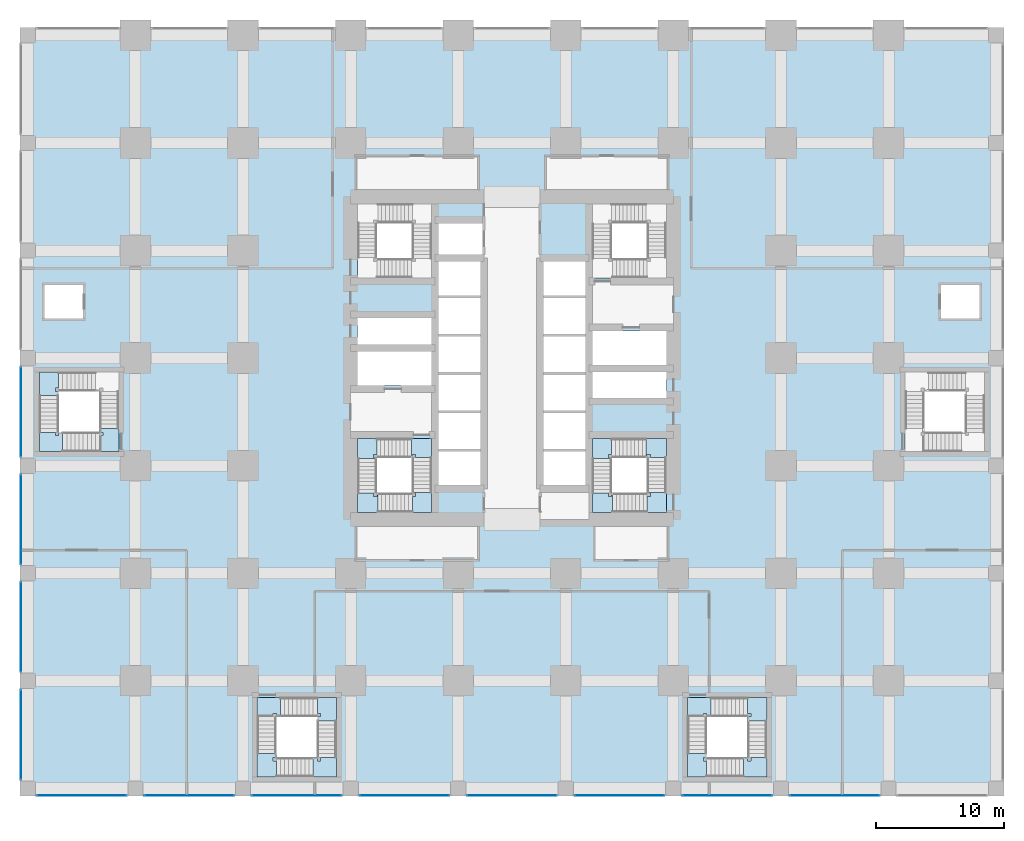
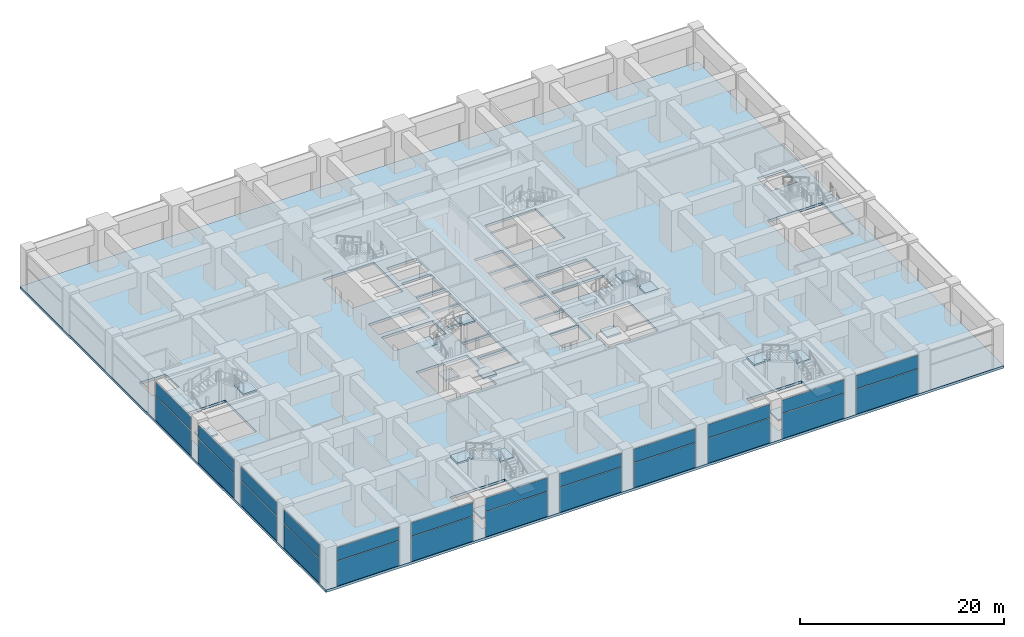
# One storey, part 34 of 48: 24 plates, 20 slabs, 17 elements without a shape of their own.
"""IFC4 building model written with IfcOpenShell, lengths in metres."""

from ifc_helpers import new_model, si_unit, direction, frame, origin, origin_2d, place, context, subcontext, project, spatial, polyline, rectangle, outline, extrude, material, layer, layer_set, type_object, element, aggregate, save


model = new_model("IFC4")

# Units and contexts
model_context = context("Model", 3, precision=1e-05, world=origin(), true_north=direction((0.0, 1.0)))
body_context = subcontext(model_context, "Body", "Model", "MODEL_VIEW")
ifc_project = project(units=[si_unit("LENGTHUNIT", "METRE"), si_unit("AREAUNIT", "SQUARE_METRE"), si_unit("VOLUMEUNIT", "CUBIC_METRE"), si_unit("PLANEANGLEUNIT", "RADIAN"), si_unit("MASSUNIT", "GRAM", prefix="KILO")], contexts=[model_context])

# Site, building, storey
site_placement = place(None, origin())
site = spatial("IfcSite", under=ifc_project, at=site_placement, CompositionType="ELEMENT")
building_placement = place(site_placement, origin())
building = spatial("IfcBuilding", under=site, at=building_placement, Name="Rekha Terrace Tower", CompositionType="ELEMENT")
storey_placement = place(building_placement, frame((0.0, 0.0, 15.39990234375)))
storey = spatial("IfcBuildingStorey", under=building, at=storey_placement, Name="L03", CompositionType="ELEMENT", Elevation=15.39990234375)

# Curtain wall, plates
ifc_material_1 = material(Name="Aluminium framing", Category="aluminium")
curtain_wall_type = type_object("IfcCurtainWallType", Name="CW4 podium shopfront glazing", PredefinedType="USERDEFINED", material=ifc_material_1)
curtain_wall_1_placement = place(storey_placement, origin())
curtain_wall_1 = element("IfcCurtainWall", 1, at=curtain_wall_1_placement, inside=storey, type_object=curtain_wall_type, Name="CW4 shopfront curtain wall", ObjectType="SHOPFRONT CURTAIN WALL", PredefinedType="USERDEFINED")
ifc_material_2 = material(Name="Laminated double-glazed unit 30", Category="glass")
ifc_layer_1 = layer(ifc_material_2, 0.030029296875)
ifc_layer_set_1 = layer_set([ifc_layer_1], Name="Laminated double-glazed unit 30")
plate_type = type_object("IfcPlateType", Name="CW4 jumbo vision panel, laminated double-glazed unit 30", PredefinedType="CURTAIN_PANEL", material=ifc_layer_set_1)
plate_1_placement = place(storey_placement, frame((4.199951171875, -0.5400390625, 0.000244140625), z_axis=(0.0, 0.0, 1.0), x_axis=(1.0, 0.0, 0.0)))
plate_1 = element("IfcPlate", 2, at=plate_1_placement, type_object=plate_type, Name="CW4 panel 1.1", PredefinedType="CURTAIN_PANEL", context=body_context, shape_type="SweptSolid", body=[
    extrude(rectangle(XDim=7.010009765625, YDim=0.030029296875, at=origin_2d()), origin(), (0.0, 0.0, 1.0), 2.96240234375),
])
plate_2_placement = place(storey_placement, frame((4.199951171875, -0.5400390625, 3.03759765625), z_axis=(0.0, 0.0, 1.0), x_axis=(1.0, 0.0, 0.0)))
plate_2 = element("IfcPlate", 3, at=plate_2_placement, type_object=plate_type, Name="CW4 panel 1.2", PredefinedType="CURTAIN_PANEL", context=body_context, shape_type="SweptSolid", body=[
    extrude(rectangle(XDim=7.010009765625, YDim=0.030029296875, at=origin_2d()), origin(), (0.0, 0.0, 1.0), 1.58740234375),
])
aggregate(curtain_wall_1, [plate_1, plate_2])

curtain_wall_2_placement = place(storey_placement, origin())
curtain_wall_2 = element("IfcCurtainWall", 4, at=curtain_wall_2_placement, inside=storey, type_object=curtain_wall_type, Name="CW4 shopfront curtain wall", ObjectType="SHOPFRONT CURTAIN WALL", PredefinedType="USERDEFINED")
plate_3_placement = place(storey_placement, frame((12.60009765625, -0.5400390625, 0.000244140625), z_axis=(0.0, 0.0, 1.0), x_axis=(1.0, 0.0, 0.0)))
plate_3 = element("IfcPlate", 5, at=plate_3_placement, type_object=plate_type, Name="CW4 panel 1.1", PredefinedType="CURTAIN_PANEL", context=body_context, shape_type="SweptSolid", body=[
    extrude(rectangle(XDim=7.010009765625, YDim=0.030029296875, at=origin_2d()), origin(), (0.0, 0.0, 1.0), 2.96240234375),
])
plate_4_placement = place(storey_placement, frame((12.60009765625, -0.5400390625, 3.03759765625), z_axis=(0.0, 0.0, 1.0), x_axis=(1.0, 0.0, 0.0)))
plate_4 = element("IfcPlate", 6, at=plate_4_placement, type_object=plate_type, Name="CW4 panel 1.2", PredefinedType="CURTAIN_PANEL", context=body_context, shape_type="SweptSolid", body=[
    extrude(rectangle(XDim=7.010009765625, YDim=0.030029296875, at=origin_2d()), origin(), (0.0, 0.0, 1.0), 1.58740234375),
])
aggregate(curtain_wall_2, [plate_3, plate_4])

curtain_wall_3_placement = place(storey_placement, origin())
curtain_wall_3 = element("IfcCurtainWall", 7, at=curtain_wall_3_placement, inside=storey, type_object=curtain_wall_type, Name="CW4 shopfront curtain wall", ObjectType="SHOPFRONT CURTAIN WALL", PredefinedType="USERDEFINED")
plate_5_placement = place(storey_placement, frame((21.0, -0.5400390625, 0.000244140625), z_axis=(0.0, 0.0, 1.0), x_axis=(1.0, 0.0, 0.0)))
plate_5 = element("IfcPlate", 8, at=plate_5_placement, type_object=plate_type, Name="CW4 panel 1.1", PredefinedType="CURTAIN_PANEL", context=body_context, shape_type="SweptSolid", body=[
    extrude(rectangle(XDim=7.010009765625, YDim=0.030029296875, at=origin_2d()), origin(), (0.0, 0.0, 1.0), 2.96240234375),
])
plate_6_placement = place(storey_placement, frame((21.0, -0.5400390625, 3.03759765625), z_axis=(0.0, 0.0, 1.0), x_axis=(1.0, 0.0, 0.0)))
plate_6 = element("IfcPlate", 9, at=plate_6_placement, type_object=plate_type, Name="CW4 panel 1.2", PredefinedType="CURTAIN_PANEL", context=body_context, shape_type="SweptSolid", body=[
    extrude(rectangle(XDim=7.010009765625, YDim=0.030029296875, at=origin_2d()), origin(), (0.0, 0.0, 1.0), 1.58740234375),
])
aggregate(curtain_wall_3, [plate_5, plate_6])

curtain_wall_4_placement = place(storey_placement, origin())
curtain_wall_4 = element("IfcCurtainWall", 10, at=curtain_wall_4_placement, inside=storey, type_object=curtain_wall_type, Name="CW4 shopfront curtain wall", ObjectType="SHOPFRONT CURTAIN WALL", PredefinedType="USERDEFINED")
plate_7_placement = place(storey_placement, frame((29.39990234375, -0.5400390625, 0.000244140625), z_axis=(0.0, 0.0, 1.0), x_axis=(1.0, 0.0, 0.0)))
plate_7 = element("IfcPlate", 11, at=plate_7_placement, type_object=plate_type, Name="CW4 panel 1.1", PredefinedType="CURTAIN_PANEL", context=body_context, shape_type="SweptSolid", body=[
    extrude(rectangle(XDim=7.010009765625, YDim=0.030029296875, at=origin_2d()), origin(), (0.0, 0.0, 1.0), 2.96240234375),
])
plate_8_placement = place(storey_placement, frame((29.39990234375, -0.5400390625, 3.03759765625), z_axis=(0.0, 0.0, 1.0), x_axis=(1.0, 0.0, 0.0)))
plate_8 = element("IfcPlate", 12, at=plate_8_placement, type_object=plate_type, Name="CW4 panel 1.2", PredefinedType="CURTAIN_PANEL", context=body_context, shape_type="SweptSolid", body=[
    extrude(rectangle(XDim=7.010009765625, YDim=0.030029296875, at=origin_2d()), origin(), (0.0, 0.0, 1.0), 1.58740234375),
])
aggregate(curtain_wall_4, [plate_7, plate_8])

curtain_wall_5_placement = place(storey_placement, origin())
curtain_wall_5 = element("IfcCurtainWall", 13, at=curtain_wall_5_placement, inside=storey, type_object=curtain_wall_type, Name="CW4 shopfront curtain wall", ObjectType="SHOPFRONT CURTAIN WALL", PredefinedType="USERDEFINED")
plate_9_placement = place(storey_placement, frame((37.800048828125, -0.5400390625, 0.000244140625), z_axis=(0.0, 0.0, 1.0), x_axis=(1.0, 0.0, 0.0)))
plate_9 = element("IfcPlate", 14, at=plate_9_placement, type_object=plate_type, Name="CW4 panel 1.1", PredefinedType="CURTAIN_PANEL", context=body_context, shape_type="SweptSolid", body=[
    extrude(rectangle(XDim=7.010009765625, YDim=0.030029296875, at=origin_2d()), origin(), (0.0, 0.0, 1.0), 2.96240234375),
])
plate_10_placement = place(storey_placement, frame((37.800048828125, -0.5400390625, 3.03759765625), z_axis=(0.0, 0.0, 1.0), x_axis=(1.0, 0.0, 0.0)))
plate_10 = element("IfcPlate", 15, at=plate_10_placement, type_object=plate_type, Name="CW4 panel 1.2", PredefinedType="CURTAIN_PANEL", context=body_context, shape_type="SweptSolid", body=[
    extrude(rectangle(XDim=7.010009765625, YDim=0.030029296875, at=origin_2d()), origin(), (0.0, 0.0, 1.0), 1.58740234375),
])
aggregate(curtain_wall_5, [plate_9, plate_10])

curtain_wall_6_placement = place(storey_placement, origin())
curtain_wall_6 = element("IfcCurtainWall", 16, at=curtain_wall_6_placement, inside=storey, type_object=curtain_wall_type, Name="CW4 shopfront curtain wall", ObjectType="SHOPFRONT CURTAIN WALL", PredefinedType="USERDEFINED")
plate_11_placement = place(storey_placement, frame((46.199951171875, -0.5400390625, 0.000244140625), z_axis=(0.0, 0.0, 1.0), x_axis=(1.0, 0.0, 0.0)))
plate_11 = element("IfcPlate", 17, at=plate_11_placement, type_object=plate_type, Name="CW4 panel 1.1", PredefinedType="CURTAIN_PANEL", context=body_context, shape_type="SweptSolid", body=[
    extrude(rectangle(XDim=7.010009765625, YDim=0.030029296875, at=origin_2d()), origin(), (0.0, 0.0, 1.0), 2.96240234375),
])
plate_12_placement = place(storey_placement, frame((46.199951171875, -0.5400390625, 3.03759765625), z_axis=(0.0, 0.0, 1.0), x_axis=(1.0, 0.0, 0.0)))
plate_12 = element("IfcPlate", 18, at=plate_12_placement, type_object=plate_type, Name="CW4 panel 1.2", PredefinedType="CURTAIN_PANEL", context=body_context, shape_type="SweptSolid", body=[
    extrude(rectangle(XDim=7.010009765625, YDim=0.030029296875, at=origin_2d()), origin(), (0.0, 0.0, 1.0), 1.58740234375),
])
aggregate(curtain_wall_6, [plate_11, plate_12])

curtain_wall_7_placement = place(storey_placement, origin())
curtain_wall_7 = element("IfcCurtainWall", 19, at=curtain_wall_7_placement, inside=storey, type_object=curtain_wall_type, Name="CW4 shopfront curtain wall", ObjectType="SHOPFRONT CURTAIN WALL", PredefinedType="USERDEFINED")
plate_13_placement = place(storey_placement, frame((54.60009765625, -0.5400390625, 0.000244140625), z_axis=(0.0, 0.0, 1.0), x_axis=(1.0, 0.0, 0.0)))
plate_13 = element("IfcPlate", 20, at=plate_13_placement, type_object=plate_type, Name="CW4 panel 1.1", PredefinedType="CURTAIN_PANEL", context=body_context, shape_type="SweptSolid", body=[
    extrude(rectangle(XDim=7.010009765625, YDim=0.030029296875, at=origin_2d()), origin(), (0.0, 0.0, 1.0), 2.96240234375),
])
plate_14_placement = place(storey_placement, frame((54.60009765625, -0.5400390625, 3.03759765625), z_axis=(0.0, 0.0, 1.0), x_axis=(1.0, 0.0, 0.0)))
plate_14 = element("IfcPlate", 21, at=plate_14_placement, type_object=plate_type, Name="CW4 panel 1.2", PredefinedType="CURTAIN_PANEL", context=body_context, shape_type="SweptSolid", body=[
    extrude(rectangle(XDim=7.010009765625, YDim=0.030029296875, at=origin_2d()), origin(), (0.0, 0.0, 1.0), 1.58740234375),
])
aggregate(curtain_wall_7, [plate_13, plate_14])

curtain_wall_8_placement = place(storey_placement, origin())
curtain_wall_8 = element("IfcCurtainWall", 22, at=curtain_wall_8_placement, inside=storey, type_object=curtain_wall_type, Name="CW4 shopfront curtain wall", ObjectType="SHOPFRONT CURTAIN WALL", PredefinedType="USERDEFINED")
plate_15_placement = place(storey_placement, frame((63.0, -0.5400390625, 0.000244140625), z_axis=(0.0, 0.0, 1.0), x_axis=(1.0, 0.0, 0.0)))
plate_15 = element("IfcPlate", 23, at=plate_15_placement, type_object=plate_type, Name="CW4 panel 1.1", PredefinedType="CURTAIN_PANEL", context=body_context, shape_type="SweptSolid", body=[
    extrude(rectangle(XDim=7.010009765625, YDim=0.030029296875, at=origin_2d()), origin(), (0.0, 0.0, 1.0), 2.96240234375),
])
plate_16_placement = place(storey_placement, frame((63.0, -0.5400390625, 3.03759765625), z_axis=(0.0, 0.0, 1.0), x_axis=(1.0, 0.0, 0.0)))
plate_16 = element("IfcPlate", 24, at=plate_16_placement, type_object=plate_type, Name="CW4 panel 1.2", PredefinedType="CURTAIN_PANEL", context=body_context, shape_type="SweptSolid", body=[
    extrude(rectangle(XDim=7.010009765625, YDim=0.030029296875, at=origin_2d()), origin(), (0.0, 0.0, 1.0), 1.58740234375),
])
aggregate(curtain_wall_8, [plate_15, plate_16])

curtain_wall_9_placement = place(storey_placement, origin())
curtain_wall_9 = element("IfcCurtainWall", 25, at=curtain_wall_9_placement, inside=storey, type_object=curtain_wall_type, Name="CW4 shopfront curtain wall", ObjectType="SHOPFRONT CURTAIN WALL", PredefinedType="USERDEFINED")
plate_17_placement = place(storey_placement, frame((-0.5400390625, 29.39990234375, 0.000244140625), z_axis=(0.0, 0.0, 1.0), x_axis=(0.0, -1.0, 0.0)))
plate_17 = element("IfcPlate", 26, at=plate_17_placement, type_object=plate_type, Name="CW4 panel 1.1", PredefinedType="CURTAIN_PANEL", context=body_context, shape_type="SweptSolid", body=[
    extrude(rectangle(XDim=7.010009765625, YDim=0.030029296875, at=origin_2d()), origin(), (0.0, 0.0, 1.0), 2.96240234375),
])
plate_18_placement = place(storey_placement, frame((-0.5400390625, 29.39990234375, 3.03759765625), z_axis=(0.0, 0.0, 1.0), x_axis=(0.0, -1.0, 0.0)))
plate_18 = element("IfcPlate", 27, at=plate_18_placement, type_object=plate_type, Name="CW4 panel 1.2", PredefinedType="CURTAIN_PANEL", context=body_context, shape_type="SweptSolid", body=[
    extrude(rectangle(XDim=7.010009765625, YDim=0.030029296875, at=origin_2d()), origin(), (0.0, 0.0, 1.0), 1.58740234375),
])
aggregate(curtain_wall_9, [plate_17, plate_18])

curtain_wall_10_placement = place(storey_placement, origin())
curtain_wall_10 = element("IfcCurtainWall", 28, at=curtain_wall_10_placement, inside=storey, type_object=curtain_wall_type, Name="CW4 shopfront curtain wall", ObjectType="SHOPFRONT CURTAIN WALL", PredefinedType="USERDEFINED")
plate_19_placement = place(storey_placement, frame((-0.5400390625, 21.0, 0.000244140625), z_axis=(0.0, 0.0, 1.0), x_axis=(0.0, -1.0, 0.0)))
plate_19 = element("IfcPlate", 29, at=plate_19_placement, type_object=plate_type, Name="CW4 panel 1.1", PredefinedType="CURTAIN_PANEL", context=body_context, shape_type="SweptSolid", body=[
    extrude(rectangle(XDim=7.010009765625, YDim=0.030029296875, at=origin_2d()), origin(), (0.0, 0.0, 1.0), 2.96240234375),
])
plate_20_placement = place(storey_placement, frame((-0.5400390625, 21.0, 3.03759765625), z_axis=(0.0, 0.0, 1.0), x_axis=(0.0, -1.0, 0.0)))
plate_20 = element("IfcPlate", 30, at=plate_20_placement, type_object=plate_type, Name="CW4 panel 1.2", PredefinedType="CURTAIN_PANEL", context=body_context, shape_type="SweptSolid", body=[
    extrude(rectangle(XDim=7.010009765625, YDim=0.030029296875, at=origin_2d()), origin(), (0.0, 0.0, 1.0), 1.58740234375),
])
aggregate(curtain_wall_10, [plate_19, plate_20])

curtain_wall_11_placement = place(storey_placement, origin())
curtain_wall_11 = element("IfcCurtainWall", 31, at=curtain_wall_11_placement, inside=storey, type_object=curtain_wall_type, Name="CW4 shopfront curtain wall", ObjectType="SHOPFRONT CURTAIN WALL", PredefinedType="USERDEFINED")
plate_21_placement = place(storey_placement, frame((-0.5400390625, 12.60009765625, 0.000244140625), z_axis=(0.0, 0.0, 1.0), x_axis=(0.0, -1.0, 0.0)))
plate_21 = element("IfcPlate", 32, at=plate_21_placement, type_object=plate_type, Name="CW4 panel 1.1", PredefinedType="CURTAIN_PANEL", context=body_context, shape_type="SweptSolid", body=[
    extrude(rectangle(XDim=7.010009765625, YDim=0.030029296875, at=origin_2d()), origin(), (0.0, 0.0, 1.0), 2.96240234375),
])
plate_22_placement = place(storey_placement, frame((-0.5400390625, 12.60009765625, 3.03759765625), z_axis=(0.0, 0.0, 1.0), x_axis=(0.0, -1.0, 0.0)))
plate_22 = element("IfcPlate", 33, at=plate_22_placement, type_object=plate_type, Name="CW4 panel 1.2", PredefinedType="CURTAIN_PANEL", context=body_context, shape_type="SweptSolid", body=[
    extrude(rectangle(XDim=7.010009765625, YDim=0.030029296875, at=origin_2d()), origin(), (0.0, 0.0, 1.0), 1.58740234375),
])
aggregate(curtain_wall_11, [plate_21, plate_22])

curtain_wall_12_placement = place(storey_placement, origin())
curtain_wall_12 = element("IfcCurtainWall", 34, at=curtain_wall_12_placement, inside=storey, type_object=curtain_wall_type, Name="CW4 shopfront curtain wall", ObjectType="SHOPFRONT CURTAIN WALL", PredefinedType="USERDEFINED")
plate_23_placement = place(storey_placement, frame((-0.5400390625, 4.199951171875, 0.000244140625), z_axis=(0.0, 0.0, 1.0), x_axis=(0.0, -1.0, 0.0)))
plate_23 = element("IfcPlate", 35, at=plate_23_placement, type_object=plate_type, Name="CW4 panel 1.1", PredefinedType="CURTAIN_PANEL", context=body_context, shape_type="SweptSolid", body=[
    extrude(rectangle(XDim=7.010009765625, YDim=0.030029296875, at=origin_2d()), origin(), (0.0, 0.0, 1.0), 2.96240234375),
])
plate_24_placement = place(storey_placement, frame((-0.5400390625, 4.199951171875, 3.03759765625), z_axis=(0.0, 0.0, 1.0), x_axis=(0.0, -1.0, 0.0)))
plate_24 = element("IfcPlate", 36, at=plate_24_placement, type_object=plate_type, Name="CW4 panel 1.2", PredefinedType="CURTAIN_PANEL", context=body_context, shape_type="SweptSolid", body=[
    extrude(rectangle(XDim=7.010009765625, YDim=0.030029296875, at=origin_2d()), origin(), (0.0, 0.0, 1.0), 1.58740234375),
])
aggregate(curtain_wall_12, [plate_23, plate_24])

# Stair, slabs
ifc_material_3 = material(Name="Concrete M40", Category="concrete")
stair_type_1 = type_object("IfcStairType", Name="ST40 stair, 40 risers of 125, going 320, 1500 wide flights, 4 flights", PredefinedType="QUARTER_TURN_STAIR", material=ifc_material_3)
stair_1_placement = place(storey_placement, origin())
stair_1 = element("IfcStair", 37, at=stair_1_placement, inside=storey, type_object=stair_type_1, Name="Stair SP1 L03 to L04", PredefinedType="QUARTER_TURN_STAIR")
ifc_layer_2 = layer(ifc_material_3, 0.199951171875)
ifc_layer_set_2 = layer_set([ifc_layer_2], Name="Concrete M40")
slab_type_1 = type_object("IfcSlabType", Name="LD1 200 concrete stair landing", PredefinedType="LANDING", material=ifc_layer_set_2)
slab_1_placement = place(storey_placement, frame((0.0, 0.0, 1.050048828125)))
slab_1 = element("IfcSlab", 38, at=slab_1_placement, type_object=slab_type_1, Name="SP1 landing 1", PredefinedType="LANDING", context=body_context, shape_type="SweptSolid", body=[
    extrude(outline(polyline([(0.89990234375, 27.800048828125), (0.89990234375, 26.300048828125), (2.719970703125, 26.300048828125), (2.719970703125, 27.800048828125), (2.39990234375, 27.800048828125), (2.39990234375, 27.550048828125), (2.14990234375, 27.550048828125), (2.14990234375, 27.800048828125), (0.89990234375, 27.800048828125)])), origin(), (0.0, 0.0, 1.0), 0.199951171875),
])
slab_2_placement = place(storey_placement, frame((0.0, 0.0, 2.300048828125)))
slab_2 = element("IfcSlab", 39, at=slab_2_placement, type_object=slab_type_1, Name="SP1 landing 2", PredefinedType="LANDING", context=body_context, shape_type="SweptSolid", body=[
    extrude(outline(polyline([(2.39990234375, 32.5), (0.89990234375, 32.5), (0.89990234375, 30.679931640625), (2.39990234375, 30.679931640625), (2.39990234375, 31.0), (2.14990234375, 31.0), (2.14990234375, 31.25), (2.39990234375, 31.25), (2.39990234375, 32.5)])), origin(), (0.0, 0.0, 1.0), 0.199951171875),
])
slab_3_placement = place(storey_placement, frame((0.0, 0.0, 4.800048828125)))
slab_3 = element("IfcSlab", 40, at=slab_3_placement, type_object=slab_type_1, Name="SP1 landing 4", PredefinedType="LANDING", context=body_context, shape_type="SweptSolid", body=[
    extrude(outline(polyline([(5.60009765625, 26.300048828125), (7.10009765625, 26.300048828125), (7.10009765625, 28.1201171875), (5.60009765625, 28.1201171875), (5.60009765625, 27.800048828125), (5.85009765625, 27.800048828125), (5.85009765625, 27.550048828125), (5.60009765625, 27.550048828125), (5.60009765625, 26.300048828125)])), origin(), (0.0, 0.0, 1.0), 0.199951171875),
])
aggregate(stair_1, [slab_1, slab_2, slab_3])

stair_2_placement = place(storey_placement, origin())
stair_2 = element("IfcStair", 41, at=stair_2_placement, inside=storey, type_object=stair_type_1, Name="Stair SP3 L03 to L04", PredefinedType="QUARTER_TURN_STAIR")
slab_4_placement = place(storey_placement, frame((0.0, 0.0, 1.050048828125)))
slab_4 = element("IfcSlab", 42, at=slab_4_placement, type_object=slab_type_1, Name="SP3 landing 1", PredefinedType="LANDING", context=body_context, shape_type="SweptSolid", body=[
    extrude(outline(polyline([(19.39990234375, 0.89990234375), (17.89990234375, 0.89990234375), (17.89990234375, 2.719970703125), (19.39990234375, 2.719970703125), (19.39990234375, 2.39990234375), (19.14990234375, 2.39990234375), (19.14990234375, 2.14990234375), (19.39990234375, 2.14990234375), (19.39990234375, 0.89990234375)])), origin(), (0.0, 0.0, 1.0), 0.199951171875),
])
slab_5_placement = place(storey_placement, frame((0.0, 0.0, 2.300048828125)))
slab_5 = element("IfcSlab", 43, at=slab_5_placement, type_object=slab_type_1, Name="SP3 landing 2", PredefinedType="LANDING", context=body_context, shape_type="SweptSolid", body=[
    extrude(outline(polyline([(24.10009765625, 2.39990234375), (24.10009765625, 0.89990234375), (22.280029296875, 0.89990234375), (22.280029296875, 2.39990234375), (22.60009765625, 2.39990234375), (22.60009765625, 2.14990234375), (22.85009765625, 2.14990234375), (22.85009765625, 2.39990234375), (24.10009765625, 2.39990234375)])), origin(), (0.0, 0.0, 1.0), 0.199951171875),
])
slab_6_placement = place(storey_placement, frame((0.0, 0.0, 3.550048828125)))
slab_6 = element("IfcSlab", 44, at=slab_6_placement, type_object=slab_type_1, Name="SP3 landing 3", PredefinedType="LANDING", context=body_context, shape_type="SweptSolid", body=[
    extrude(outline(polyline([(22.60009765625, 7.10009765625), (24.10009765625, 7.10009765625), (24.10009765625, 5.280029296875), (22.60009765625, 5.280029296875), (22.60009765625, 5.60009765625), (22.85009765625, 5.60009765625), (22.85009765625, 5.85009765625), (22.60009765625, 5.85009765625), (22.60009765625, 7.10009765625)])), origin(), (0.0, 0.0, 1.0), 0.199951171875),
])
slab_7_placement = place(storey_placement, frame((0.0, 0.0, 4.800048828125)))
slab_7 = element("IfcSlab", 45, at=slab_7_placement, type_object=slab_type_1, Name="SP3 landing 4", PredefinedType="LANDING", context=body_context, shape_type="SweptSolid", body=[
    extrude(outline(polyline([(17.89990234375, 5.60009765625), (17.89990234375, 7.10009765625), (19.719970703125, 7.10009765625), (19.719970703125, 5.60009765625), (19.39990234375, 5.60009765625), (19.39990234375, 5.85009765625), (19.14990234375, 5.85009765625), (19.14990234375, 5.60009765625), (17.89990234375, 5.60009765625)])), origin(), (0.0, 0.0, 1.0), 0.199951171875),
])
aggregate(stair_2, [slab_4, slab_5, slab_6, slab_7])

stair_3_placement = place(storey_placement, origin())
stair_3 = element("IfcStair", 46, at=stair_3_placement, inside=storey, type_object=stair_type_1, Name="Stair SP4 L03 to L04", PredefinedType="QUARTER_TURN_STAIR")
slab_8_placement = place(storey_placement, frame((0.0, 0.0, 1.050048828125)))
slab_8 = element("IfcSlab", 47, at=slab_8_placement, type_object=slab_type_1, Name="SP4 landing 1", PredefinedType="LANDING", context=body_context, shape_type="SweptSolid", body=[
    extrude(outline(polyline([(53.0, 0.89990234375), (51.5, 0.89990234375), (51.5, 2.719970703125), (53.0, 2.719970703125), (53.0, 2.39990234375), (52.75, 2.39990234375), (52.75, 2.14990234375), (53.0, 2.14990234375), (53.0, 0.89990234375)])), origin(), (0.0, 0.0, 1.0), 0.199951171875),
])
slab_9_placement = place(storey_placement, frame((0.0, 0.0, 2.300048828125)))
slab_9 = element("IfcSlab", 48, at=slab_9_placement, type_object=slab_type_1, Name="SP4 landing 2", PredefinedType="LANDING", context=body_context, shape_type="SweptSolid", body=[
    extrude(outline(polyline([(57.699951171875, 2.39990234375), (57.699951171875, 0.89990234375), (55.8798828125, 0.89990234375), (55.8798828125, 2.39990234375), (56.199951171875, 2.39990234375), (56.199951171875, 2.14990234375), (56.449951171875, 2.14990234375), (56.449951171875, 2.39990234375), (57.699951171875, 2.39990234375)])), origin(), (0.0, 0.0, 1.0), 0.199951171875),
])
slab_10_placement = place(storey_placement, frame((0.0, 0.0, 3.550048828125)))
slab_10 = element("IfcSlab", 49, at=slab_10_placement, type_object=slab_type_1, Name="SP4 landing 3", PredefinedType="LANDING", context=body_context, shape_type="SweptSolid", body=[
    extrude(outline(polyline([(56.199951171875, 7.10009765625), (57.699951171875, 7.10009765625), (57.699951171875, 5.280029296875), (56.199951171875, 5.280029296875), (56.199951171875, 5.60009765625), (56.449951171875, 5.60009765625), (56.449951171875, 5.85009765625), (56.199951171875, 5.85009765625), (56.199951171875, 7.10009765625)])), origin(), (0.0, 0.0, 1.0), 0.199951171875),
])
slab_11_placement = place(storey_placement, frame((0.0, 0.0, 4.800048828125)))
slab_11 = element("IfcSlab", 50, at=slab_11_placement, type_object=slab_type_1, Name="SP4 landing 4", PredefinedType="LANDING", context=body_context, shape_type="SweptSolid", body=[
    extrude(outline(polyline([(51.5, 5.60009765625), (51.5, 7.10009765625), (53.320068359375, 7.10009765625), (53.320068359375, 5.60009765625), (53.0, 5.60009765625), (53.0, 5.85009765625), (52.75, 5.85009765625), (52.75, 5.60009765625), (51.5, 5.60009765625)])), origin(), (0.0, 0.0, 1.0), 0.199951171875),
])
aggregate(stair_3, [slab_8, slab_9, slab_10, slab_11])

stair_type_2 = type_object("IfcStairType", Name="ST40 stair, 40 risers of 125, going 300, 1500 wide flights, 4 flights", PredefinedType="QUARTER_TURN_STAIR", material=ifc_material_3)
stair_4_placement = place(storey_placement, origin())
stair_4 = element("IfcStair", 51, at=stair_4_placement, inside=storey, type_object=stair_type_2, Name="Stair ST1 L03 to L04", PredefinedType="QUARTER_TURN_STAIR")
slab_12_placement = place(storey_placement, frame((0.0, 0.0, 1.050048828125)))
slab_12 = element("IfcSlab", 52, at=slab_12_placement, type_object=slab_type_1, Name="ST1 landing 1", PredefinedType="LANDING", context=body_context, shape_type="SweptSolid", body=[
    extrude(outline(polyline([(30.02490234375, 21.550048828125), (31.52490234375, 21.550048828125), (31.52490234375, 23.125), (30.02490234375, 23.125), (30.02490234375, 23.050048828125), (30.27490234375, 23.050048828125), (30.27490234375, 22.800048828125), (30.02490234375, 22.800048828125), (30.02490234375, 21.550048828125)])), origin(), (0.0, 0.0, 1.0), 0.199951171875),
])
slab_13_placement = place(storey_placement, frame((0.0, 0.0, 2.300048828125)))
slab_13 = element("IfcSlab", 53, at=slab_13_placement, type_object=slab_type_1, Name="ST1 landing 2", PredefinedType="LANDING", context=body_context, shape_type="SweptSolid", body=[
    extrude(outline(polyline([(25.75, 23.050048828125), (25.75, 21.550048828125), (27.324951171875, 21.550048828125), (27.324951171875, 23.050048828125), (27.25, 23.050048828125), (27.25, 22.800048828125), (27.0, 22.800048828125), (27.0, 23.050048828125), (25.75, 23.050048828125)])), origin(), (0.0, 0.0, 1.0), 0.199951171875),
])
slab_14_placement = place(storey_placement, frame((0.0, 0.0, 3.550048828125)))
slab_14 = element("IfcSlab", 54, at=slab_14_placement, type_object=slab_type_1, Name="ST1 landing 3", PredefinedType="LANDING", context=body_context, shape_type="SweptSolid", body=[
    extrude(outline(polyline([(27.25, 27.324951171875), (25.75, 27.324951171875), (25.75, 25.75), (27.25, 25.75), (27.25, 25.824951171875), (27.0, 25.824951171875), (27.0, 26.074951171875), (27.25, 26.074951171875), (27.25, 27.324951171875)])), origin(), (0.0, 0.0, 1.0), 0.199951171875),
])
slab_15_placement = place(storey_placement, frame((0.0, 0.0, 4.800048828125)))
slab_15 = element("IfcSlab", 55, at=slab_15_placement, type_object=slab_type_1, Name="ST1 landing 4", PredefinedType="LANDING", context=body_context, shape_type="SweptSolid", body=[
    extrude(outline(polyline([(31.52490234375, 25.824951171875), (31.52490234375, 27.324951171875), (29.949951171875, 27.324951171875), (29.949951171875, 25.824951171875), (30.02490234375, 25.824951171875), (30.02490234375, 26.074951171875), (30.27490234375, 26.074951171875), (30.27490234375, 25.824951171875), (31.52490234375, 25.824951171875)])), origin(), (0.0, 0.0, 1.0), 0.199951171875),
])
aggregate(stair_4, [slab_12, slab_13, slab_14, slab_15])

stair_5_placement = place(storey_placement, origin())
stair_5 = element("IfcStair", 56, at=stair_5_placement, inside=storey, type_object=stair_type_2, Name="Stair ST3 L03 to L04", PredefinedType="QUARTER_TURN_STAIR")
slab_16_placement = place(storey_placement, frame((0.0, 0.0, 1.050048828125)))
slab_16 = element("IfcSlab", 57, at=slab_16_placement, type_object=slab_type_1, Name="ST3 landing 1", PredefinedType="LANDING", context=body_context, shape_type="SweptSolid", body=[
    extrude(outline(polyline([(44.074951171875, 23.050048828125), (44.074951171875, 21.550048828125), (45.64990234375, 21.550048828125), (45.64990234375, 23.050048828125), (45.574951171875, 23.050048828125), (45.574951171875, 22.800048828125), (45.324951171875, 22.800048828125), (45.324951171875, 23.050048828125), (44.074951171875, 23.050048828125)])), origin(), (0.0, 0.0, 1.0), 0.199951171875),
])
slab_17_placement = place(storey_placement, frame((0.0, 0.0, 2.300048828125)))
slab_17 = element("IfcSlab", 58, at=slab_17_placement, type_object=slab_type_1, Name="ST3 landing 2", PredefinedType="LANDING", context=body_context, shape_type="SweptSolid", body=[
    extrude(outline(polyline([(45.574951171875, 27.324951171875), (44.074951171875, 27.324951171875), (44.074951171875, 25.75), (45.574951171875, 25.75), (45.574951171875, 25.824951171875), (45.324951171875, 25.824951171875), (45.324951171875, 26.074951171875), (45.574951171875, 26.074951171875), (45.574951171875, 27.324951171875)])), origin(), (0.0, 0.0, 1.0), 0.199951171875),
])
slab_18_placement = place(storey_placement, frame((0.0, 0.0, 3.550048828125)))
slab_18 = element("IfcSlab", 59, at=slab_18_placement, type_object=slab_type_1, Name="ST3 landing 3", PredefinedType="LANDING", context=body_context, shape_type="SweptSolid", body=[
    extrude(outline(polyline([(49.85009765625, 25.824951171875), (49.85009765625, 27.324951171875), (48.27490234375, 27.324951171875), (48.27490234375, 25.824951171875), (48.35009765625, 25.824951171875), (48.35009765625, 26.074951171875), (48.60009765625, 26.074951171875), (48.60009765625, 25.824951171875), (49.85009765625, 25.824951171875)])), origin(), (0.0, 0.0, 1.0), 0.199951171875),
])
slab_19_placement = place(storey_placement, frame((0.0, 0.0, 4.800048828125)))
slab_19 = element("IfcSlab", 60, at=slab_19_placement, type_object=slab_type_1, Name="ST3 landing 4", PredefinedType="LANDING", context=body_context, shape_type="SweptSolid", body=[
    extrude(outline(polyline([(48.35009765625, 21.550048828125), (49.85009765625, 21.550048828125), (49.85009765625, 23.125), (48.35009765625, 23.125), (48.35009765625, 23.050048828125), (48.60009765625, 23.050048828125), (48.60009765625, 22.800048828125), (48.35009765625, 22.800048828125), (48.35009765625, 21.550048828125)])), origin(), (0.0, 0.0, 1.0), 0.199951171875),
])
aggregate(stair_5, [slab_16, slab_17, slab_18, slab_19])

# Slab
ifc_material_4 = material(Name="Concrete M50", Category="concrete")
ifc_layer_3 = layer(ifc_material_4, 0.300048828125)
ifc_layer_set_3 = layer_set([ifc_layer_3], Name="Concrete M50")
slab_type_2 = type_object("IfcSlabType", Name="SL2 300 podium floor slab", PredefinedType="FLOOR", material=ifc_layer_set_3)
slab_20_placement = place(storey_placement, frame((0.0, 0.0, -0.2998046875)))
element("IfcSlab", 61, at=slab_20_placement, inside=storey, type_object=slab_type_2, Name="Podium floor slab L03", PredefinedType="FLOOR", context=body_context, shape_type="SweptSolid", body=[
    extrude(outline(polyline([(-0.60009765625, 59.39990234375), (-0.60009765625, -0.60009765625), (76.199951171875, -0.60009765625), (76.199951171875, 59.39990234375), (-0.60009765625, 59.39990234375)]), holes=[polyline([(24.10009765625, 7.10009765625), (24.10009765625, 0.89990234375), (17.89990234375, 0.89990234375), (17.89990234375, 7.10009765625), (24.10009765625, 7.10009765625)]), polyline([(31.52490234375, 21.550048828125), (25.75, 21.550048828125), (25.75, 27.324951171875), (31.52490234375, 27.324951171875), (31.52490234375, 21.550048828125)]), polyline([(35.324951171875, 23.675048828125), (32.074951171875, 23.675048828125), (32.074951171875, 26.300048828125), (35.324951171875, 26.300048828125), (35.324951171875, 23.675048828125)]), polyline([(35.324951171875, 29.300048828125), (35.324951171875, 26.5), (32.074951171875, 26.5), (32.074951171875, 29.300048828125), (35.324951171875, 29.300048828125)]), polyline([(7.10009765625, 26.300048828125), (0.89990234375, 26.300048828125), (0.89990234375, 32.5), (7.10009765625, 32.5), (7.10009765625, 26.300048828125)]), polyline([(35.324951171875, 29.5), (32.074951171875, 29.5), (32.074951171875, 32.300048828125), (35.324951171875, 32.300048828125), (35.324951171875, 29.5)]), polyline([(31.52490234375, 34.125), (31.52490234375, 31.47509765625), (25.75, 31.47509765625), (25.75, 34.125), (31.52490234375, 34.125)]), polyline([(35.324951171875, 32.5), (32.074951171875, 32.5), (32.074951171875, 35.300048828125), (35.324951171875, 35.300048828125), (35.324951171875, 32.5)]), polyline([(31.52490234375, 34.675048828125), (25.75, 34.675048828125), (25.75, 36.72509765625), (31.52490234375, 36.72509765625), (31.52490234375, 34.675048828125)]), polyline([(35.324951171875, 35.5), (32.074951171875, 35.5), (32.074951171875, 38.300048828125), (35.324951171875, 38.300048828125), (35.324951171875, 35.5)]), polyline([(4.300048828125, 36.699951171875), (1.300048828125, 36.699951171875), (1.300048828125, 39.300048828125), (4.300048828125, 39.300048828125), (4.300048828125, 36.699951171875)]), polyline([(35.324951171875, 38.5), (32.074951171875, 38.5), (32.074951171875, 41.125), (35.324951171875, 41.125), (35.324951171875, 38.5)]), polyline([(31.52490234375, 39.875), (25.75, 39.875), (25.75, 45.64990234375), (31.52490234375, 45.64990234375), (31.52490234375, 39.875)]), polyline([(35.5, 44.125), (35.5, 41.675048828125), (32.074951171875, 41.675048828125), (32.074951171875, 44.125), (35.5, 44.125)]), polyline([(57.699951171875, 0.89990234375), (51.5, 0.89990234375), (51.5, 7.10009765625), (57.699951171875, 7.10009765625), (57.699951171875, 0.89990234375)]), polyline([(49.85009765625, 21.550048828125), (44.074951171875, 21.550048828125), (44.074951171875, 27.324951171875), (49.85009765625, 27.324951171875), (49.85009765625, 21.550048828125)]), polyline([(43.52490234375, 23.675048828125), (40.27490234375, 23.675048828125), (40.27490234375, 26.300048828125), (43.52490234375, 26.300048828125), (43.52490234375, 23.675048828125)]), polyline([(43.52490234375, 26.5), (40.27490234375, 26.5), (40.27490234375, 29.300048828125), (43.52490234375, 29.300048828125), (43.52490234375, 26.5)]), polyline([(74.699951171875, 26.300048828125), (68.5, 26.300048828125), (68.5, 32.5), (74.699951171875, 32.5), (74.699951171875, 26.300048828125)]), polyline([(43.52490234375, 29.5), (40.27490234375, 29.5), (40.27490234375, 32.300048828125), (43.52490234375, 32.300048828125), (43.52490234375, 29.5)]), polyline([(49.85009765625, 32.52490234375), (49.85009765625, 30.47509765625), (44.074951171875, 30.47509765625), (44.074951171875, 32.52490234375), (49.85009765625, 32.52490234375)]), polyline([(43.52490234375, 32.5), (40.27490234375, 32.5), (40.27490234375, 35.300048828125), (43.52490234375, 35.300048828125), (43.52490234375, 32.5)]), polyline([(49.85009765625, 33.074951171875), (44.074951171875, 33.074951171875), (44.074951171875, 35.72509765625), (49.85009765625, 35.72509765625), (49.85009765625, 33.074951171875)]), polyline([(43.52490234375, 35.5), (40.27490234375, 35.5), (40.27490234375, 38.300048828125), (43.52490234375, 38.300048828125), (43.52490234375, 35.5)]), polyline([(74.300048828125, 36.699951171875), (71.300048828125, 36.699951171875), (71.300048828125, 39.300048828125), (74.300048828125, 39.300048828125), (74.300048828125, 36.699951171875)]), polyline([(43.52490234375, 38.5), (40.27490234375, 38.5), (40.27490234375, 41.125), (43.52490234375, 41.125), (43.52490234375, 38.5)]), polyline([(49.85009765625, 39.875), (44.074951171875, 39.875), (44.074951171875, 45.64990234375), (49.85009765625, 45.64990234375), (49.85009765625, 39.875)])]), origin(), (0.0, 0.0, 1.0), 0.2998046875),
])

save(model, "model.ifc")
